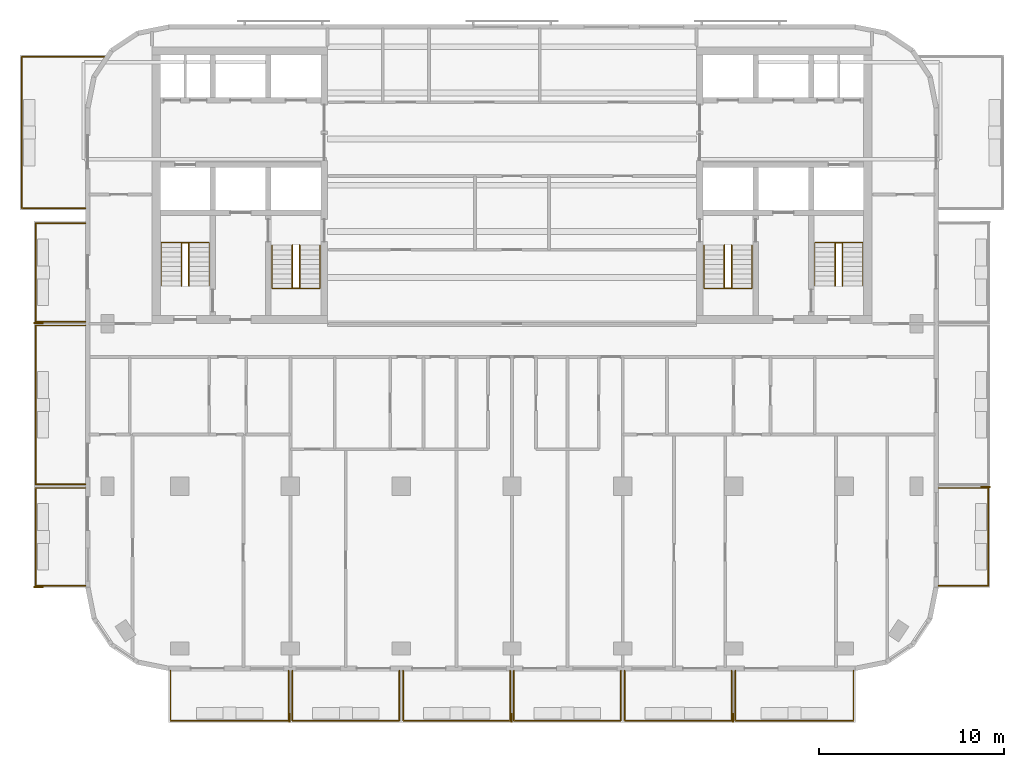
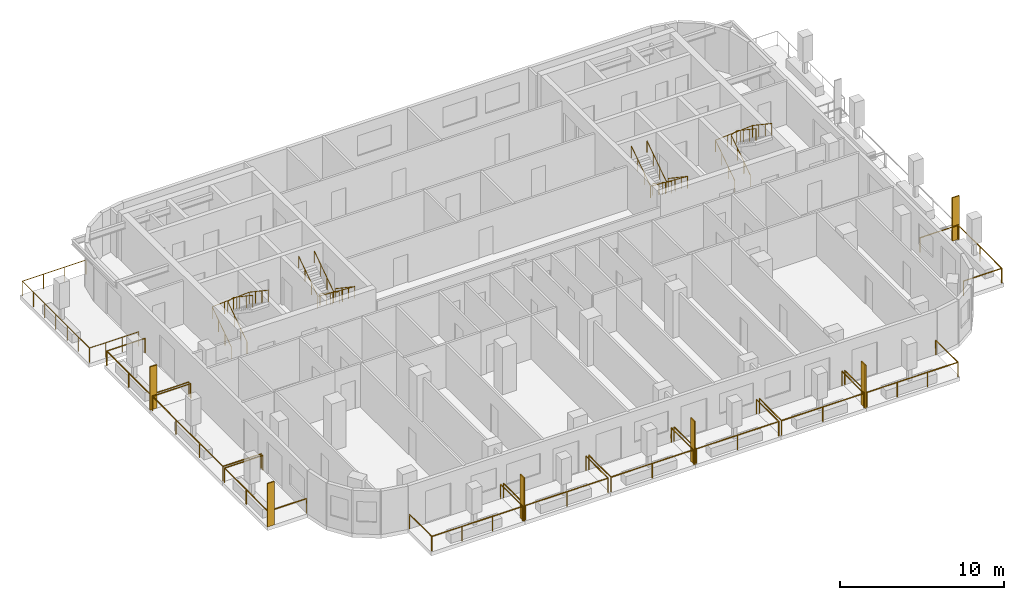
# One storey, part 9 of 11: 19 railings, 6 shading devices.
"""IFC4 building model written with IfcOpenShell, lengths in metres."""

from ifc_helpers import new_model, si_unit, direction, frame, origin, origin_2d, place, context, subcontext, project, spatial, rectangle, circle, extrude, material, layer, layer_set, type_object, element, save


model = new_model("IFC4")

# Units and contexts
model_context = context("Model", 3, precision=1e-05, world=origin(), true_north=direction((0.0, 1.0)))
body_context = subcontext(model_context, "Body", "Model", "MODEL_VIEW")
ifc_project = project(units=[si_unit("LENGTHUNIT", "METRE"), si_unit("AREAUNIT", "SQUARE_METRE"), si_unit("VOLUMEUNIT", "CUBIC_METRE"), si_unit("PLANEANGLEUNIT", "RADIAN"), si_unit("MASSUNIT", "GRAM", prefix="KILO")], contexts=[model_context])

# Site, building, storey
site_placement = place(None, origin())
site = spatial("IfcSite", under=ifc_project, at=site_placement, CompositionType="ELEMENT")
building_placement = place(site_placement, origin())
building = spatial("IfcBuilding", under=site, at=building_placement, Name="Torana Hotel and Residences", CompositionType="ELEMENT")
storey_placement = place(building_placement, frame((0.0, 0.0, 287.60009765625)))
storey = spatial("IfcBuildingStorey", under=building, at=storey_placement, Name="L76", CompositionType="ELEMENT", Elevation=287.60009765625)

# Shading devices
ifc_material_1 = material(Name="Black powder coated aluminium", Category="aluminium")
ifc_layer = layer(ifc_material_1, 0.080078125)
ifc_layer_set = layer_set([ifc_layer], Name="FN1 VERTICAL FIN 500x80")
shading_device_type = type_object("IfcShadingDeviceType", Name="FN1 VERTICAL FIN 500x80", PredefinedType="USERDEFINED", material=ifc_layer_set)
for number, where, z_axis, x_axis, name in (
    (1, (-12.0400390625, -36.35009765625, 0.0), (0.0, 0.0, 1.0), (-1.0, 0.0, 0.0), "Fin 01"),
    (2, (-0.0400390625, -36.35009765625, 0.0), (0.0, 0.0, 1.0), (-1.0, 0.0, 0.0), "Fin 03"),
    (3, (11.9599609375, -36.35009765625, 0.0), (0.0, 0.0, 1.0), (-1.0, 0.0, 0.0), "Fin 05"),
    (4, (-25.64990234375, -29.260009765625, 0.0), (0.0, 0.0, 1.0), (0.0, 1.0, 0.0), "Fin 07"),
    (5, (-25.64990234375, -14.9599609375, 0.0), (0.0, 0.0, 1.0), (0.0, 1.0, 0.0), "Fin 09"),
    (6, (25.64990234375, -23.840087890625, 0.0), (0.0, 0.0, 1.0), (0.0, -1.0, 0.0), "Fin 11"),
):
    element("IfcShadingDevice", number, at=place(storey_placement, frame(where, z_axis=z_axis, x_axis=x_axis)), inside=storey, type_object=shading_device_type, Name=name, ObjectType="FIN", PredefinedType="USERDEFINED", context=body_context, shape_type="SweptSolid", body=[
        extrude(rectangle(XDim=0.080078125, YDim=0.5, at=origin_2d()), origin(), (0.0, 0.0, 1.0), 3.219970703125),
    ])

# Railings
ifc_material_2 = material(Name="Laminated glass balustrade with black handrail", Category="glass")
railing_type_1 = type_object("IfcRailingType", Name="GR1 BALCONY GUARD 1100 GLASS", PredefinedType="GUARDRAIL", material=ifc_material_2)
railing_1_placement = place(storey_placement, frame((-12.10009765625, -33.800048828125, 0.0)))
element("IfcRailing", 7, at=railing_1_placement, inside=storey, type_object=railing_type_1, Name="Balcony guard 01", PredefinedType="GUARDRAIL", context=body_context, shape_type="SweptSolid", body=[
    extrude(circle(Radius=0.02392578125, at=origin_2d()), frame((0.0, 0.0, 1.076171875), z_axis=(0.0, -1.0, 0.0), x_axis=(1.0, 0.0, 0.0)), (0.0, 0.0, 1.0), 2.699951171875),
    extrude(circle(Radius=0.02392578125, at=origin_2d()), frame((0.0, -2.699951171875, 1.076171875), z_axis=(-1.0, 0.0, 0.0), x_axis=(0.0, -1.0, 0.0)), (0.0, 0.0, 1.0), 6.39990234375),
    extrude(circle(Radius=0.02392578125, at=origin_2d()), frame((-6.39990234375, -2.699951171875, 1.076171875), z_axis=(0.0, 1.0, 0.0), x_axis=(-1.0, 0.0, 0.0)), (0.0, 0.0, 1.0), 2.699951171875),
    extrude(circle(Radius=0.02099609375, at=origin_2d()), origin(), (0.0, 0.0, 1.0), 1.052001953125),
    extrude(circle(Radius=0.02099609375, at=origin_2d()), frame((0.0, -2.699951171875, 0.0)), (0.0, 0.0, 1.0), 1.052001953125),
    extrude(circle(Radius=0.02099609375, at=origin_2d()), frame((-2.13330078125, -2.699951171875, 0.0)), (0.0, 0.0, 1.0), 1.052001953125),
    extrude(circle(Radius=0.02099609375, at=origin_2d()), frame((-4.2666015625, -2.699951171875, 0.0)), (0.0, 0.0, 1.0), 1.052001953125),
    extrude(circle(Radius=0.02099609375, at=origin_2d()), frame((-6.39990234375, -2.699951171875, 0.0)), (0.0, 0.0, 1.0), 1.052001953125),
    extrude(circle(Radius=0.02099609375, at=origin_2d()), frame((-6.39990234375, 0.0, 0.0)), (0.0, 0.0, 1.0), 1.052001953125),
])
for number, where, name in (
    (8, (-6.10009765625, -33.800048828125, 0.0), "Balcony guard 02"),
    (9, (-0.10009765625, -33.800048828125, 0.0), "Balcony guard 03"),
    (10, (5.89990234375, -33.800048828125, 0.0), "Balcony guard 04"),
    (11, (11.89990234375, -33.800048828125, 0.0), "Balcony guard 05"),
):
    element("IfcRailing", number, at=place(storey_placement, frame(where)), inside=storey, type_object=railing_type_1, Name=name, PredefinedType="GUARDRAIL", context=body_context, shape_type="SweptSolid", body=[
        extrude(circle(Radius=0.02392578125, at=origin_2d()), frame((0.0, 0.0, 1.076171875), z_axis=(0.0, -1.0, 0.0), x_axis=(1.0, 0.0, 0.0)), (0.0, 0.0, 1.0), 2.699951171875),
        extrude(circle(Radius=0.02392578125, at=origin_2d()), frame((0.0, -2.699951171875, 1.076171875), z_axis=(-1.0, 0.0, 0.0), x_axis=(0.0, -1.0, 0.0)), (0.0, 0.0, 1.0), 5.7998046875),
        extrude(circle(Radius=0.02392578125, at=origin_2d()), frame((-5.7998046875, -2.699951171875, 1.076171875), z_axis=(0.0, 1.0, 0.0), x_axis=(-1.0, 0.0, 0.0)), (0.0, 0.0, 1.0), 2.699951171875),
        extrude(circle(Radius=0.02099609375, at=origin_2d()), origin(), (0.0, 0.0, 1.0), 1.052001953125),
        extrude(circle(Radius=0.02099609375, at=origin_2d()), frame((0.0, -2.699951171875, 0.0)), (0.0, 0.0, 1.0), 1.052001953125),
        extrude(circle(Radius=0.02099609375, at=origin_2d()), frame((-2.89990234375, -2.699951171875, 0.0)), (0.0, 0.0, 1.0), 1.052001953125),
        extrude(circle(Radius=0.02099609375, at=origin_2d()), frame((-5.7998046875, -2.699951171875, 0.0)), (0.0, 0.0, 1.0), 1.052001953125),
        extrude(circle(Radius=0.02099609375, at=origin_2d()), frame((-5.7998046875, 0.0, 0.0)), (0.0, 0.0, 1.0), 1.052001953125),
    ])
railing_2_placement = place(storey_placement, frame((18.5, -33.800048828125, 0.0)))
element("IfcRailing", 12, at=railing_2_placement, inside=storey, type_object=railing_type_1, Name="Balcony guard 06", PredefinedType="GUARDRAIL", context=body_context, shape_type="SweptSolid", body=[
    extrude(circle(Radius=0.02392578125, at=origin_2d()), frame((0.0, 0.0, 1.076171875), z_axis=(0.0, -1.0, 0.0), x_axis=(1.0, 0.0, 0.0)), (0.0, 0.0, 1.0), 2.699951171875),
    extrude(circle(Radius=0.02392578125, at=origin_2d()), frame((0.0, -2.699951171875, 1.076171875), z_axis=(-1.0, 0.0, 0.0), x_axis=(0.0, -1.0, 0.0)), (0.0, 0.0, 1.0), 6.39990234375),
    extrude(circle(Radius=0.02392578125, at=origin_2d()), frame((-6.39990234375, -2.699951171875, 1.076171875), z_axis=(0.0, 1.0, 0.0), x_axis=(-1.0, 0.0, 0.0)), (0.0, 0.0, 1.0), 2.699951171875),
    extrude(circle(Radius=0.02099609375, at=origin_2d()), origin(), (0.0, 0.0, 1.0), 1.052001953125),
    extrude(circle(Radius=0.02099609375, at=origin_2d()), frame((0.0, -2.699951171875, 0.0)), (0.0, 0.0, 1.0), 1.052001953125),
    extrude(circle(Radius=0.02099609375, at=origin_2d()), frame((-2.13330078125, -2.699951171875, 0.0)), (0.0, 0.0, 1.0), 1.052001953125),
    extrude(circle(Radius=0.02099609375, at=origin_2d()), frame((-4.2666015625, -2.699951171875, 0.0)), (0.0, 0.0, 1.0), 1.052001953125),
    extrude(circle(Radius=0.02099609375, at=origin_2d()), frame((-6.39990234375, -2.699951171875, 0.0)), (0.0, 0.0, 1.0), 1.052001953125),
    extrude(circle(Radius=0.02099609375, at=origin_2d()), frame((-6.39990234375, 0.0, 0.0)), (0.0, 0.0, 1.0), 1.052001953125),
])
railing_3_placement = place(storey_placement, frame((-23.10009765625, -29.199951171875, 0.0)))
element("IfcRailing", 13, at=railing_3_placement, inside=storey, type_object=railing_type_1, Name="Balcony guard 07", PredefinedType="GUARDRAIL", context=body_context, shape_type="SweptSolid", body=[
    extrude(circle(Radius=0.02392578125, at=origin_2d()), frame((0.0, 0.0, 1.076171875), z_axis=(-1.0, 0.0, 0.0), x_axis=(0.0, -1.0, 0.0)), (0.0, 0.0, 1.0), 2.699951171875),
    extrude(circle(Radius=0.02392578125, at=origin_2d()), frame((-2.699951171875, 0.0, 1.076171875), z_axis=(0.0, 1.0, 0.0), x_axis=(-1.0, 0.0, 0.0)), (0.0, 0.0, 1.0), 5.300048828125),
    extrude(circle(Radius=0.02392578125, at=origin_2d()), frame((-2.699951171875, 5.300048828125, 1.076171875), z_axis=(1.0, 0.0, 0.0), x_axis=(0.0, 1.0, 0.0)), (0.0, 0.0, 1.0), 2.699951171875),
    extrude(circle(Radius=0.02099609375, at=origin_2d()), origin(), (0.0, 0.0, 1.0), 1.052001953125),
    extrude(circle(Radius=0.02099609375, at=origin_2d()), frame((-2.699951171875, 0.0, 0.0)), (0.0, 0.0, 1.0), 1.052001953125),
    extrude(circle(Radius=0.02099609375, at=origin_2d()), frame((-2.699951171875, 2.64990234375, 0.0)), (0.0, 0.0, 1.0), 1.052001953125),
    extrude(circle(Radius=0.02099609375, at=origin_2d()), frame((-2.699951171875, 5.300048828125, 0.0)), (0.0, 0.0, 1.0), 1.052001953125),
    extrude(circle(Radius=0.02099609375, at=origin_2d()), frame((0.0, 5.300048828125, 0.0)), (0.0, 0.0, 1.0), 1.052001953125),
])
railing_4_placement = place(storey_placement, frame((-23.10009765625, -23.699951171875, 0.0)))
element("IfcRailing", 14, at=railing_4_placement, inside=storey, type_object=railing_type_1, Name="Balcony guard 08", PredefinedType="GUARDRAIL", context=body_context, shape_type="SweptSolid", body=[
    extrude(circle(Radius=0.02392578125, at=origin_2d()), frame((0.0, 0.0, 1.076171875), z_axis=(-1.0, 0.0, 0.0), x_axis=(0.0, -1.0, 0.0)), (0.0, 0.0, 1.0), 2.699951171875),
    extrude(circle(Radius=0.02392578125, at=origin_2d()), frame((-2.699951171875, 0.0, 1.076171875), z_axis=(0.0, 1.0, 0.0), x_axis=(-1.0, 0.0, 0.0)), (0.0, 0.0, 1.0), 8.599853515625),
    extrude(circle(Radius=0.02392578125, at=origin_2d()), frame((-2.699951171875, 8.599853515625, 1.076171875), z_axis=(1.0, 0.0, 0.0), x_axis=(0.0, 1.0, 0.0)), (0.0, 0.0, 1.0), 2.699951171875),
    extrude(circle(Radius=0.02099609375, at=origin_2d()), origin(), (0.0, 0.0, 1.0), 1.052001953125),
    extrude(circle(Radius=0.02099609375, at=origin_2d()), frame((-2.699951171875, 0.0, 0.0)), (0.0, 0.0, 1.0), 1.052001953125),
    extrude(circle(Radius=0.02099609375, at=origin_2d()), frame((-2.699951171875, 2.86669921875, 0.0)), (0.0, 0.0, 1.0), 1.052001953125),
    extrude(circle(Radius=0.02099609375, at=origin_2d()), frame((-2.699951171875, 5.733154296875, 0.0)), (0.0, 0.0, 1.0), 1.052001953125),
    extrude(circle(Radius=0.02099609375, at=origin_2d()), frame((-2.699951171875, 8.599853515625, 0.0)), (0.0, 0.0, 1.0), 1.052001953125),
    extrude(circle(Radius=0.02099609375, at=origin_2d()), frame((0.0, 8.599853515625, 0.0)), (0.0, 0.0, 1.0), 1.052001953125),
])
railing_5_placement = place(storey_placement, frame((-23.10009765625, -14.89990234375, 0.0)))
element("IfcRailing", 15, at=railing_5_placement, inside=storey, type_object=railing_type_1, Name="Balcony guard 09", PredefinedType="GUARDRAIL", context=body_context, shape_type="SweptSolid", body=[
    extrude(circle(Radius=0.02392578125, at=origin_2d()), frame((0.0, 0.0, 1.076171875), z_axis=(-1.0, 0.0, 0.0), x_axis=(0.0, -1.0, 0.0)), (0.0, 0.0, 1.0), 2.699951171875),
    extrude(circle(Radius=0.02392578125, at=origin_2d()), frame((-2.699951171875, 0.0, 1.076171875), z_axis=(0.0, 1.0, 0.0), x_axis=(-1.0, 0.0, 0.0)), (0.0, 0.0, 1.0), 5.349853515625),
    extrude(circle(Radius=0.02392578125, at=origin_2d()), frame((-2.699951171875, 5.349853515625, 1.076171875), z_axis=(1.0, 0.0, 0.0), x_axis=(0.0, 1.0, 0.0)), (0.0, 0.0, 1.0), 2.699951171875),
    extrude(circle(Radius=0.02099609375, at=origin_2d()), origin(), (0.0, 0.0, 1.0), 1.052001953125),
    extrude(circle(Radius=0.02099609375, at=origin_2d()), frame((-2.699951171875, 0.0, 0.0)), (0.0, 0.0, 1.0), 1.052001953125),
    extrude(circle(Radius=0.02099609375, at=origin_2d()), frame((-2.699951171875, 2.6748046875, 0.0)), (0.0, 0.0, 1.0), 1.052001953125),
    extrude(circle(Radius=0.02099609375, at=origin_2d()), frame((-2.699951171875, 5.349853515625, 0.0)), (0.0, 0.0, 1.0), 1.052001953125),
    extrude(circle(Radius=0.02099609375, at=origin_2d()), frame((0.0, 5.349853515625, 0.0)), (0.0, 0.0, 1.0), 1.052001953125),
])
railing_6_placement = place(storey_placement, frame((-23.10009765625, -8.75, 0.0)))
element("IfcRailing", 16, at=railing_6_placement, inside=storey, type_object=railing_type_1, Name="Balcony guard 10", PredefinedType="GUARDRAIL", context=body_context, shape_type="SweptSolid", body=[
    extrude(circle(Radius=0.02392578125, at=origin_2d()), frame((0.0, 0.0, 1.076171875), z_axis=(-1.0, 0.0, 0.0), x_axis=(0.0, -1.0, 0.0)), (0.0, 0.0, 1.0), 3.449951171875),
    extrude(circle(Radius=0.02392578125, at=origin_2d()), frame((-3.449951171875, 0.0, 1.076171875), z_axis=(0.0, 1.0, 0.0), x_axis=(-1.0, 0.0, 0.0)), (0.0, 0.0, 1.0), 8.199951171875),
    extrude(circle(Radius=0.02392578125, at=origin_2d()), frame((-3.449951171875, 8.199951171875, 1.076171875), z_axis=(1.0, 0.0, 0.0), x_axis=(0.0, 1.0, 0.0)), (0.0, 0.0, 1.0), 4.479248046875),
    extrude(circle(Radius=0.02099609375, at=origin_2d()), origin(), (0.0, 0.0, 1.0), 1.052001953125),
    extrude(circle(Radius=0.02099609375, at=origin_2d()), frame((-1.14990234375, 0.0, 0.0)), (0.0, 0.0, 1.0), 1.052001953125),
    extrude(circle(Radius=0.02099609375, at=origin_2d()), frame((-2.300048828125, 0.0, 0.0)), (0.0, 0.0, 1.0), 1.052001953125),
    extrude(circle(Radius=0.02099609375, at=origin_2d()), frame((-3.449951171875, 0.0, 0.0)), (0.0, 0.0, 1.0), 1.052001953125),
    extrude(circle(Radius=0.02099609375, at=origin_2d()), frame((-3.449951171875, 1.36669921875, 0.0)), (0.0, 0.0, 1.0), 1.052001953125),
    extrude(circle(Radius=0.02099609375, at=origin_2d()), frame((-3.449951171875, 2.7333984375, 0.0)), (0.0, 0.0, 1.0), 1.052001953125),
    extrude(circle(Radius=0.02099609375, at=origin_2d()), frame((-3.449951171875, 4.10009765625, 0.0)), (0.0, 0.0, 1.0), 1.052001953125),
    extrude(circle(Radius=0.02099609375, at=origin_2d()), frame((-3.449951171875, 5.466552734375, 0.0)), (0.0, 0.0, 1.0), 1.052001953125),
    extrude(circle(Radius=0.02099609375, at=origin_2d()), frame((-3.449951171875, 6.833251953125, 0.0)), (0.0, 0.0, 1.0), 1.052001953125),
    extrude(circle(Radius=0.02099609375, at=origin_2d()), frame((-3.449951171875, 8.199951171875, 0.0)), (0.0, 0.0, 1.0), 1.052001953125),
    extrude(circle(Radius=0.02099609375, at=origin_2d()), frame((-1.956787109375, 8.199951171875, 0.0)), (0.0, 0.0, 1.0), 1.052001953125),
    extrude(circle(Radius=0.02099609375, at=origin_2d()), frame((-0.4638671875, 8.199951171875, 0.0)), (0.0, 0.0, 1.0), 1.052001953125),
    extrude(circle(Radius=0.02099609375, at=origin_2d()), frame((1.029296875, 8.199951171875, 0.0)), (0.0, 0.0, 1.0), 1.052001953125),
])
railing_7_placement = place(storey_placement, frame((23.10009765625, -23.89990234375, 0.0)))
element("IfcRailing", 17, at=railing_7_placement, inside=storey, type_object=railing_type_1, Name="Balcony guard 11", PredefinedType="GUARDRAIL", context=body_context, shape_type="SweptSolid", body=[
    extrude(circle(Radius=0.02392578125, at=origin_2d()), frame((0.0, 0.0, 1.076171875), z_axis=(1.0, 0.0, 0.0), x_axis=(0.0, 1.0, 0.0)), (0.0, 0.0, 1.0), 2.699951171875),
    extrude(circle(Radius=0.02392578125, at=origin_2d()), frame((2.699951171875, 0.0, 1.076171875), z_axis=(0.0, -1.0, 0.0), x_axis=(1.0, 0.0, 0.0)), (0.0, 0.0, 1.0), 5.300048828125),
    extrude(circle(Radius=0.02392578125, at=origin_2d()), frame((2.699951171875, -5.300048828125, 1.076171875), z_axis=(-1.0, 0.0, 0.0), x_axis=(0.0, -1.0, 0.0)), (0.0, 0.0, 1.0), 2.699951171875),
    extrude(circle(Radius=0.02099609375, at=origin_2d()), origin(), (0.0, 0.0, 1.0), 1.052001953125),
    extrude(circle(Radius=0.02099609375, at=origin_2d()), frame((2.699951171875, 0.0, 0.0)), (0.0, 0.0, 1.0), 1.052001953125),
    extrude(circle(Radius=0.02099609375, at=origin_2d()), frame((2.699951171875, -2.64990234375, 0.0)), (0.0, 0.0, 1.0), 1.052001953125),
    extrude(circle(Radius=0.02099609375, at=origin_2d()), frame((2.699951171875, -5.300048828125, 0.0)), (0.0, 0.0, 1.0), 1.052001953125),
    extrude(circle(Radius=0.02099609375, at=origin_2d()), frame((0.0, -5.300048828125, 0.0)), (0.0, 0.0, 1.0), 1.052001953125),
])
ifc_material_3 = material(Name="Stainless steel 316", Category="steel")
railing_type_2 = type_object("IfcRailingType", Name="STAIR HANDRAIL HR1 900", PredefinedType="HANDRAIL", material=ifc_material_3)
railing_8_placement = place(storey_placement, frame((-10.39990234375, -10.75, 0.1748046875)))
element("IfcRailing", 18, at=railing_8_placement, inside=storey, type_object=railing_type_2, Name="Handrail ST1 L76 O1", PredefinedType="HANDRAIL", context=body_context, shape_type="SweptSolid", body=[
    extrude(circle(Radius=0.02392578125, at=origin_2d()), frame((0.0, 0.0, 0.8759765625), z_axis=(0.0, -0.829565388462, 0.558409586474), x_axis=(1.0, 0.0, 0.0)), (0.0, 0.0, 1.0), 2.82080078125),
    extrude(circle(Radius=0.02392578125, at=origin_2d()), frame((0.0, -2.340087890625, 2.451171875), z_axis=(-0.997747692642, 0.0, 0.067078624219), x_axis=(0.0, -1.0, 0.0)), (0.0, 0.0, 1.0), 2.60595703125),
    extrude(circle(Radius=0.02392578125, at=origin_2d()), frame((-2.60009765625, -2.340087890625, 2.6259765625), z_axis=(0.0, 0.829565388462, 0.558409586474), x_axis=(-1.0, 0.0, 0.0)), (0.0, 0.0, 1.0), 2.82080078125),
    extrude(circle(Radius=0.02099609375, at=origin_2d()), origin(), (0.0, 0.0, 1.0), 0.851806640625),
    extrude(circle(Radius=0.02099609375, at=origin_2d()), frame((0.0, -0.780029296875, 0.525146484375)), (0.0, 0.0, 1.0), 0.851806640625),
    extrude(circle(Radius=0.02099609375, at=origin_2d()), frame((0.0, -1.56005859375, 1.050048828125)), (0.0, 0.0, 1.0), 0.851806640625),
    extrude(circle(Radius=0.02099609375, at=origin_2d()), frame((0.0, -2.340087890625, 1.5751953125)), (0.0, 0.0, 1.0), 0.851806640625),
    extrude(circle(Radius=0.02099609375, at=origin_2d()), frame((-0.86669921875, -2.340087890625, 1.633544921875)), (0.0, 0.0, 1.0), 0.851806640625),
    extrude(circle(Radius=0.02099609375, at=origin_2d()), frame((-1.7333984375, -2.340087890625, 1.691650390625)), (0.0, 0.0, 1.0), 0.851806640625),
    extrude(circle(Radius=0.02099609375, at=origin_2d()), frame((-2.60009765625, -2.340087890625, 1.75)), (0.0, 0.0, 1.0), 0.851806640625),
    extrude(circle(Radius=0.02099609375, at=origin_2d()), frame((-2.60009765625, -1.56005859375, 2.275146484375)), (0.0, 0.0, 1.0), 0.851806640625),
    extrude(circle(Radius=0.02099609375, at=origin_2d()), frame((-2.60009765625, -0.780029296875, 2.800048828125)), (0.0, 0.0, 1.0), 0.851806640625),
    extrude(circle(Radius=0.02099609375, at=origin_2d()), frame((-2.60009765625, 0.0, 3.3251953125)), (0.0, 0.0, 1.0), 0.851806640625),
])
railing_9_placement = place(storey_placement, frame((-11.5, -10.75, 0.1748046875)))
element("IfcRailing", 19, at=railing_9_placement, inside=storey, type_object=railing_type_2, Name="Handrail ST1 L76 I1", PredefinedType="HANDRAIL", context=body_context, shape_type="SweptSolid", body=[
    extrude(circle(Radius=0.02392578125, at=origin_2d()), frame((0.0, 0.0, 0.8759765625), z_axis=(0.0, -0.829565388462, 0.558409586474), x_axis=(1.0, 0.0, 0.0)), (0.0, 0.0, 1.0), 2.82080078125),
    extrude(circle(Radius=0.02392578125, at=origin_2d()), frame((0.0, -2.340087890625, 2.451171875), z_axis=(-0.916285673175, 0.0, 0.400525361412), x_axis=(0.0, -1.0, 0.0)), (0.0, 0.0, 1.0), 0.4365234375),
    extrude(circle(Radius=0.02392578125, at=origin_2d()), frame((-0.39990234375, -2.340087890625, 2.6259765625), z_axis=(0.0, 0.829565388462, 0.558409586474), x_axis=(-1.0, 0.0, 0.0)), (0.0, 0.0, 1.0), 2.82080078125),
    extrude(circle(Radius=0.02099609375, at=origin_2d()), origin(), (0.0, 0.0, 1.0), 0.851806640625),
    extrude(circle(Radius=0.02099609375, at=origin_2d()), frame((0.0, -0.780029296875, 0.525146484375)), (0.0, 0.0, 1.0), 0.851806640625),
    extrude(circle(Radius=0.02099609375, at=origin_2d()), frame((0.0, -1.56005859375, 1.050048828125)), (0.0, 0.0, 1.0), 0.851806640625),
    extrude(circle(Radius=0.02099609375, at=origin_2d()), frame((0.0, -2.340087890625, 1.5751953125)), (0.0, 0.0, 1.0), 0.851806640625),
    extrude(circle(Radius=0.02099609375, at=origin_2d()), frame((-0.39990234375, -2.340087890625, 1.75)), (0.0, 0.0, 1.0), 0.851806640625),
    extrude(circle(Radius=0.02099609375, at=origin_2d()), frame((-0.39990234375, -1.56005859375, 2.275146484375)), (0.0, 0.0, 1.0), 0.851806640625),
    extrude(circle(Radius=0.02099609375, at=origin_2d()), frame((-0.39990234375, -0.780029296875, 2.800048828125)), (0.0, 0.0, 1.0), 0.851806640625),
    extrude(circle(Radius=0.02099609375, at=origin_2d()), frame((-0.39990234375, 0.0, 3.3251953125)), (0.0, 0.0, 1.0), 0.851806640625),
])
railing_10_placement = place(storey_placement, frame((-19.0, -12.949951171875, 0.1748046875)))
element("IfcRailing", 20, at=railing_10_placement, inside=storey, type_object=railing_type_2, Name="Handrail ST2 L76 O1", PredefinedType="HANDRAIL", context=body_context, shape_type="SweptSolid", body=[
    extrude(circle(Radius=0.02392578125, at=origin_2d()), frame((0.0, 0.0, 0.8759765625), z_axis=(0.0, 0.829538397957, 0.558449681095), x_axis=(-1.0, 0.0, 0.0)), (0.0, 0.0, 1.0), 2.820556640625),
    extrude(circle(Radius=0.02392578125, at=origin_2d()), frame((0.0, 2.33984375, 2.451171875), z_axis=(0.997747692642, 0.0, 0.067078624219), x_axis=(0.0, 1.0, 0.0)), (0.0, 0.0, 1.0), 2.60595703125),
    extrude(circle(Radius=0.02392578125, at=origin_2d()), frame((2.60009765625, 2.33984375, 2.6259765625), z_axis=(0.0, -0.829538397957, 0.558449681095), x_axis=(1.0, 0.0, 0.0)), (0.0, 0.0, 1.0), 2.820556640625),
    extrude(circle(Radius=0.02099609375, at=origin_2d()), origin(), (0.0, 0.0, 1.0), 0.851806640625),
    extrude(circle(Radius=0.02099609375, at=origin_2d()), frame((0.0, 0.780029296875, 0.525146484375)), (0.0, 0.0, 1.0), 0.851806640625),
    extrude(circle(Radius=0.02099609375, at=origin_2d()), frame((0.0, 1.559814453125, 1.050048828125)), (0.0, 0.0, 1.0), 0.851806640625),
    extrude(circle(Radius=0.02099609375, at=origin_2d()), frame((0.0, 2.33984375, 1.5751953125)), (0.0, 0.0, 1.0), 0.851806640625),
    extrude(circle(Radius=0.02099609375, at=origin_2d()), frame((0.86669921875, 2.33984375, 1.633544921875)), (0.0, 0.0, 1.0), 0.851806640625),
    extrude(circle(Radius=0.02099609375, at=origin_2d()), frame((1.7333984375, 2.33984375, 1.691650390625)), (0.0, 0.0, 1.0), 0.851806640625),
    extrude(circle(Radius=0.02099609375, at=origin_2d()), frame((2.60009765625, 2.33984375, 1.75)), (0.0, 0.0, 1.0), 0.851806640625),
    extrude(circle(Radius=0.02099609375, at=origin_2d()), frame((2.60009765625, 1.559814453125, 2.275146484375)), (0.0, 0.0, 1.0), 0.851806640625),
    extrude(circle(Radius=0.02099609375, at=origin_2d()), frame((2.60009765625, 0.780029296875, 2.800048828125)), (0.0, 0.0, 1.0), 0.851806640625),
    extrude(circle(Radius=0.02099609375, at=origin_2d()), frame((2.60009765625, 0.0, 3.3251953125)), (0.0, 0.0, 1.0), 0.851806640625),
])
railing_11_placement = place(storey_placement, frame((-17.89990234375, -12.949951171875, 0.1748046875)))
element("IfcRailing", 21, at=railing_11_placement, inside=storey, type_object=railing_type_2, Name="Handrail ST2 L76 I1", PredefinedType="HANDRAIL", context=body_context, shape_type="SweptSolid", body=[
    extrude(circle(Radius=0.02392578125, at=origin_2d()), frame((0.0, 0.0, 0.8759765625), z_axis=(0.0, 0.829538397957, 0.558449681095), x_axis=(-1.0, 0.0, 0.0)), (0.0, 0.0, 1.0), 2.820556640625),
    extrude(circle(Radius=0.02392578125, at=origin_2d()), frame((0.0, 2.33984375, 2.451171875), z_axis=(0.916285673175, 0.0, 0.400525361412), x_axis=(0.0, 1.0, 0.0)), (0.0, 0.0, 1.0), 0.4365234375),
    extrude(circle(Radius=0.02392578125, at=origin_2d()), frame((0.39990234375, 2.33984375, 2.6259765625), z_axis=(0.0, -0.829538397957, 0.558449681095), x_axis=(1.0, 0.0, 0.0)), (0.0, 0.0, 1.0), 2.820556640625),
    extrude(circle(Radius=0.02099609375, at=origin_2d()), origin(), (0.0, 0.0, 1.0), 0.851806640625),
    extrude(circle(Radius=0.02099609375, at=origin_2d()), frame((0.0, 0.780029296875, 0.525146484375)), (0.0, 0.0, 1.0), 0.851806640625),
    extrude(circle(Radius=0.02099609375, at=origin_2d()), frame((0.0, 1.559814453125, 1.050048828125)), (0.0, 0.0, 1.0), 0.851806640625),
    extrude(circle(Radius=0.02099609375, at=origin_2d()), frame((0.0, 2.33984375, 1.5751953125)), (0.0, 0.0, 1.0), 0.851806640625),
    extrude(circle(Radius=0.02099609375, at=origin_2d()), frame((0.39990234375, 2.33984375, 1.75)), (0.0, 0.0, 1.0), 0.851806640625),
    extrude(circle(Radius=0.02099609375, at=origin_2d()), frame((0.39990234375, 1.559814453125, 2.275146484375)), (0.0, 0.0, 1.0), 0.851806640625),
    extrude(circle(Radius=0.02099609375, at=origin_2d()), frame((0.39990234375, 0.780029296875, 2.800048828125)), (0.0, 0.0, 1.0), 0.851806640625),
    extrude(circle(Radius=0.02099609375, at=origin_2d()), frame((0.39990234375, 0.0, 3.3251953125)), (0.0, 0.0, 1.0), 0.851806640625),
])
railing_12_placement = place(storey_placement, frame((13.0, -10.75, 0.1748046875)))
element("IfcRailing", 22, at=railing_12_placement, inside=storey, type_object=railing_type_2, Name="Handrail ST3 L76 O1", PredefinedType="HANDRAIL", context=body_context, shape_type="SweptSolid", body=[
    extrude(circle(Radius=0.02392578125, at=origin_2d()), frame((0.0, 0.0, 0.8759765625), z_axis=(0.0, -0.829565388462, 0.558409586474), x_axis=(1.0, 0.0, 0.0)), (0.0, 0.0, 1.0), 2.82080078125),
    extrude(circle(Radius=0.02392578125, at=origin_2d()), frame((0.0, -2.340087890625, 2.451171875), z_axis=(-0.997747692642, 0.0, 0.067078624219), x_axis=(0.0, -1.0, 0.0)), (0.0, 0.0, 1.0), 2.60595703125),
    extrude(circle(Radius=0.02392578125, at=origin_2d()), frame((-2.60009765625, -2.340087890625, 2.6259765625), z_axis=(0.0, 0.829565388462, 0.558409586474), x_axis=(-1.0, 0.0, 0.0)), (0.0, 0.0, 1.0), 2.82080078125),
    extrude(circle(Radius=0.02099609375, at=origin_2d()), origin(), (0.0, 0.0, 1.0), 0.851806640625),
    extrude(circle(Radius=0.02099609375, at=origin_2d()), frame((0.0, -0.780029296875, 0.525146484375)), (0.0, 0.0, 1.0), 0.851806640625),
    extrude(circle(Radius=0.02099609375, at=origin_2d()), frame((0.0, -1.56005859375, 1.050048828125)), (0.0, 0.0, 1.0), 0.851806640625),
    extrude(circle(Radius=0.02099609375, at=origin_2d()), frame((0.0, -2.340087890625, 1.5751953125)), (0.0, 0.0, 1.0), 0.851806640625),
    extrude(circle(Radius=0.02099609375, at=origin_2d()), frame((-0.86669921875, -2.340087890625, 1.633544921875)), (0.0, 0.0, 1.0), 0.851806640625),
    extrude(circle(Radius=0.02099609375, at=origin_2d()), frame((-1.7333984375, -2.340087890625, 1.691650390625)), (0.0, 0.0, 1.0), 0.851806640625),
    extrude(circle(Radius=0.02099609375, at=origin_2d()), frame((-2.60009765625, -2.340087890625, 1.75)), (0.0, 0.0, 1.0), 0.851806640625),
    extrude(circle(Radius=0.02099609375, at=origin_2d()), frame((-2.60009765625, -1.56005859375, 2.275146484375)), (0.0, 0.0, 1.0), 0.851806640625),
    extrude(circle(Radius=0.02099609375, at=origin_2d()), frame((-2.60009765625, -0.780029296875, 2.800048828125)), (0.0, 0.0, 1.0), 0.851806640625),
    extrude(circle(Radius=0.02099609375, at=origin_2d()), frame((-2.60009765625, 0.0, 3.3251953125)), (0.0, 0.0, 1.0), 0.851806640625),
])
railing_13_placement = place(storey_placement, frame((11.89990234375, -10.75, 0.1748046875)))
element("IfcRailing", 23, at=railing_13_placement, inside=storey, type_object=railing_type_2, Name="Handrail ST3 L76 I1", PredefinedType="HANDRAIL", context=body_context, shape_type="SweptSolid", body=[
    extrude(circle(Radius=0.02392578125, at=origin_2d()), frame((0.0, 0.0, 0.8759765625), z_axis=(0.0, -0.829565388462, 0.558409586474), x_axis=(1.0, 0.0, 0.0)), (0.0, 0.0, 1.0), 2.82080078125),
    extrude(circle(Radius=0.02392578125, at=origin_2d()), frame((0.0, -2.340087890625, 2.451171875), z_axis=(-0.916285673175, 0.0, 0.400525361412), x_axis=(0.0, -1.0, 0.0)), (0.0, 0.0, 1.0), 0.4365234375),
    extrude(circle(Radius=0.02392578125, at=origin_2d()), frame((-0.39990234375, -2.340087890625, 2.6259765625), z_axis=(0.0, 0.829565388462, 0.558409586474), x_axis=(-1.0, 0.0, 0.0)), (0.0, 0.0, 1.0), 2.82080078125),
    extrude(circle(Radius=0.02099609375, at=origin_2d()), origin(), (0.0, 0.0, 1.0), 0.851806640625),
    extrude(circle(Radius=0.02099609375, at=origin_2d()), frame((0.0, -0.780029296875, 0.525146484375)), (0.0, 0.0, 1.0), 0.851806640625),
    extrude(circle(Radius=0.02099609375, at=origin_2d()), frame((0.0, -1.56005859375, 1.050048828125)), (0.0, 0.0, 1.0), 0.851806640625),
    extrude(circle(Radius=0.02099609375, at=origin_2d()), frame((0.0, -2.340087890625, 1.5751953125)), (0.0, 0.0, 1.0), 0.851806640625),
    extrude(circle(Radius=0.02099609375, at=origin_2d()), frame((-0.39990234375, -2.340087890625, 1.75)), (0.0, 0.0, 1.0), 0.851806640625),
    extrude(circle(Radius=0.02099609375, at=origin_2d()), frame((-0.39990234375, -1.56005859375, 2.275146484375)), (0.0, 0.0, 1.0), 0.851806640625),
    extrude(circle(Radius=0.02099609375, at=origin_2d()), frame((-0.39990234375, -0.780029296875, 2.800048828125)), (0.0, 0.0, 1.0), 0.851806640625),
    extrude(circle(Radius=0.02099609375, at=origin_2d()), frame((-0.39990234375, 0.0, 3.3251953125)), (0.0, 0.0, 1.0), 0.851806640625),
])
railing_14_placement = place(storey_placement, frame((16.39990234375, -12.949951171875, 0.1748046875)))
element("IfcRailing", 24, at=railing_14_placement, inside=storey, type_object=railing_type_2, Name="Handrail ST4 L76 O1", PredefinedType="HANDRAIL", context=body_context, shape_type="SweptSolid", body=[
    extrude(circle(Radius=0.02392578125, at=origin_2d()), frame((0.0, 0.0, 0.8759765625), z_axis=(0.0, 0.829538397957, 0.558449681095), x_axis=(-1.0, 0.0, 0.0)), (0.0, 0.0, 1.0), 2.820556640625),
    extrude(circle(Radius=0.02392578125, at=origin_2d()), frame((0.0, 2.33984375, 2.451171875), z_axis=(0.997747692642, 0.0, 0.067078624219), x_axis=(0.0, 1.0, 0.0)), (0.0, 0.0, 1.0), 2.60595703125),
    extrude(circle(Radius=0.02392578125, at=origin_2d()), frame((2.60009765625, 2.33984375, 2.6259765625), z_axis=(0.0, -0.829538397957, 0.558449681095), x_axis=(1.0, 0.0, 0.0)), (0.0, 0.0, 1.0), 2.820556640625),
    extrude(circle(Radius=0.02099609375, at=origin_2d()), origin(), (0.0, 0.0, 1.0), 0.851806640625),
    extrude(circle(Radius=0.02099609375, at=origin_2d()), frame((0.0, 0.780029296875, 0.525146484375)), (0.0, 0.0, 1.0), 0.851806640625),
    extrude(circle(Radius=0.02099609375, at=origin_2d()), frame((0.0, 1.559814453125, 1.050048828125)), (0.0, 0.0, 1.0), 0.851806640625),
    extrude(circle(Radius=0.02099609375, at=origin_2d()), frame((0.0, 2.33984375, 1.5751953125)), (0.0, 0.0, 1.0), 0.851806640625),
    extrude(circle(Radius=0.02099609375, at=origin_2d()), frame((0.86669921875, 2.33984375, 1.633544921875)), (0.0, 0.0, 1.0), 0.851806640625),
    extrude(circle(Radius=0.02099609375, at=origin_2d()), frame((1.7333984375, 2.33984375, 1.691650390625)), (0.0, 0.0, 1.0), 0.851806640625),
    extrude(circle(Radius=0.02099609375, at=origin_2d()), frame((2.60009765625, 2.33984375, 1.75)), (0.0, 0.0, 1.0), 0.851806640625),
    extrude(circle(Radius=0.02099609375, at=origin_2d()), frame((2.60009765625, 1.559814453125, 2.275146484375)), (0.0, 0.0, 1.0), 0.851806640625),
    extrude(circle(Radius=0.02099609375, at=origin_2d()), frame((2.60009765625, 0.780029296875, 2.800048828125)), (0.0, 0.0, 1.0), 0.851806640625),
    extrude(circle(Radius=0.02099609375, at=origin_2d()), frame((2.60009765625, 0.0, 3.3251953125)), (0.0, 0.0, 1.0), 0.851806640625),
])
railing_15_placement = place(storey_placement, frame((17.5, -12.949951171875, 0.1748046875)))
element("IfcRailing", 25, at=railing_15_placement, inside=storey, type_object=railing_type_2, Name="Handrail ST4 L76 I1", PredefinedType="HANDRAIL", context=body_context, shape_type="SweptSolid", body=[
    extrude(circle(Radius=0.02392578125, at=origin_2d()), frame((0.0, 0.0, 0.8759765625), z_axis=(0.0, 0.829538397957, 0.558449681095), x_axis=(-1.0, 0.0, 0.0)), (0.0, 0.0, 1.0), 2.820556640625),
    extrude(circle(Radius=0.02392578125, at=origin_2d()), frame((0.0, 2.33984375, 2.451171875), z_axis=(0.916285673175, 0.0, 0.400525361412), x_axis=(0.0, 1.0, 0.0)), (0.0, 0.0, 1.0), 0.4365234375),
    extrude(circle(Radius=0.02392578125, at=origin_2d()), frame((0.39990234375, 2.33984375, 2.6259765625), z_axis=(0.0, -0.829538397957, 0.558449681095), x_axis=(1.0, 0.0, 0.0)), (0.0, 0.0, 1.0), 2.820556640625),
    extrude(circle(Radius=0.02099609375, at=origin_2d()), origin(), (0.0, 0.0, 1.0), 0.851806640625),
    extrude(circle(Radius=0.02099609375, at=origin_2d()), frame((0.0, 0.780029296875, 0.525146484375)), (0.0, 0.0, 1.0), 0.851806640625),
    extrude(circle(Radius=0.02099609375, at=origin_2d()), frame((0.0, 1.559814453125, 1.050048828125)), (0.0, 0.0, 1.0), 0.851806640625),
    extrude(circle(Radius=0.02099609375, at=origin_2d()), frame((0.0, 2.33984375, 1.5751953125)), (0.0, 0.0, 1.0), 0.851806640625),
    extrude(circle(Radius=0.02099609375, at=origin_2d()), frame((0.39990234375, 2.33984375, 1.75)), (0.0, 0.0, 1.0), 0.851806640625),
    extrude(circle(Radius=0.02099609375, at=origin_2d()), frame((0.39990234375, 1.559814453125, 2.275146484375)), (0.0, 0.0, 1.0), 0.851806640625),
    extrude(circle(Radius=0.02099609375, at=origin_2d()), frame((0.39990234375, 0.780029296875, 2.800048828125)), (0.0, 0.0, 1.0), 0.851806640625),
    extrude(circle(Radius=0.02099609375, at=origin_2d()), frame((0.39990234375, 0.0, 3.3251953125)), (0.0, 0.0, 1.0), 0.851806640625),
])

save(model, "model.ifc")
